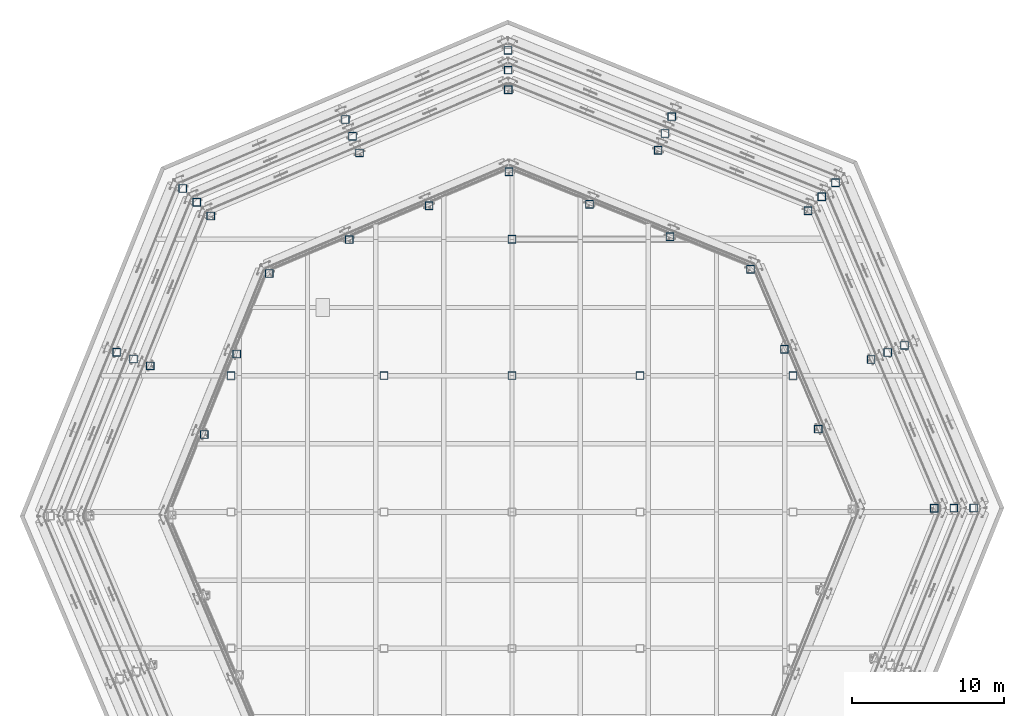
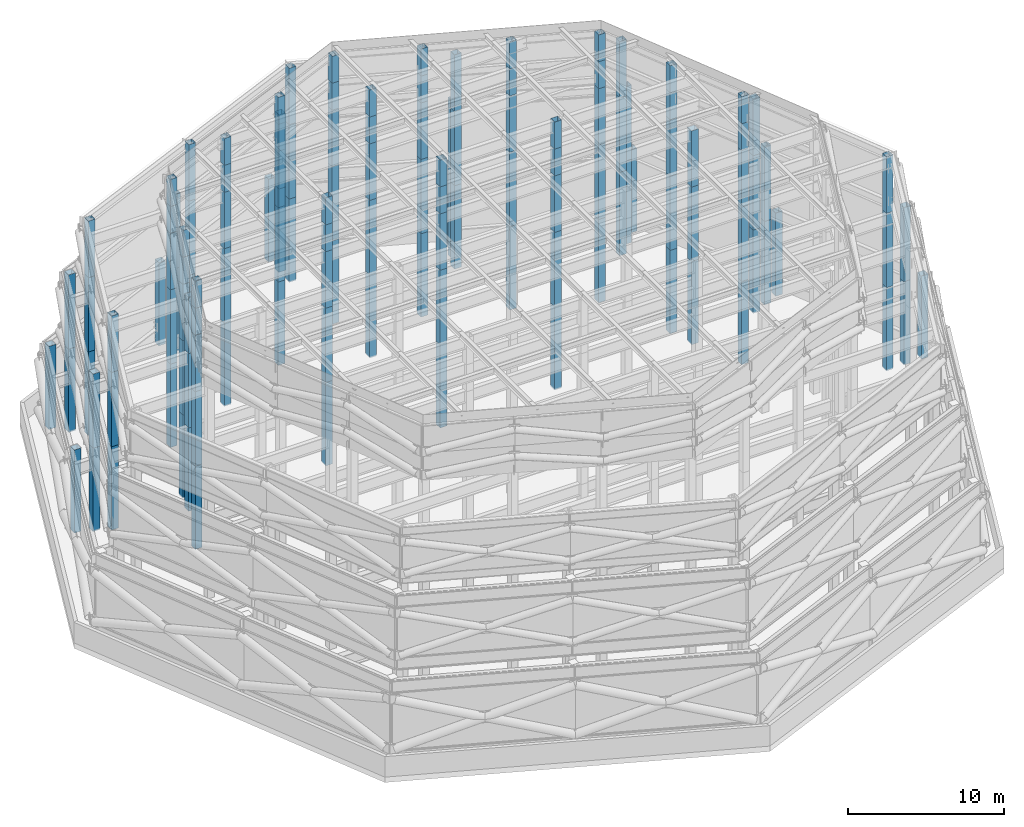
# One storey, part 2 of 19: 129 columns.
"""IFC4 building model written with IfcOpenShell, lengths in metres."""

from ifc_helpers import new_model, si_unit, direction, frame, origin, origin_2d, place, context, subcontext, project, spatial, hollow_rectangle, extrude, material, material_profile, profile_set, type_object, element, save


model = new_model("IFC4")

# Units and contexts
model_context = context("Model", 3, precision=1e-05, world=origin(), true_north=direction((0.0, 1.0)))
body_context = subcontext(model_context, "Body", "Model", "MODEL_VIEW")
ifc_project = project(units=[si_unit("LENGTHUNIT", "METRE"), si_unit("AREAUNIT", "SQUARE_METRE"), si_unit("VOLUMEUNIT", "CUBIC_METRE"), si_unit("PLANEANGLEUNIT", "RADIAN"), si_unit("MASSUNIT", "GRAM", prefix="KILO")], contexts=[model_context])

# Site, building, storey
site_placement = place(None, origin())
site = spatial("IfcSite", under=ifc_project, at=site_placement, CompositionType="ELEMENT")
building_placement = place(site_placement, origin())
building = spatial("IfcBuilding", under=site, at=building_placement, Name="Orlundy Tower", CompositionType="ELEMENT")
storey_placement = place(building_placement, frame((0.0, 0.0, 304.300048828125)))
storey = spatial("IfcBuildingStorey", under=building, at=storey_placement, Name="Roof", CompositionType="ELEMENT", Elevation=304.300048828125)

# Columns
ifc_material = material(Name="Steel ASTM A500 Gr C", Category="steel")
ifc_material_profile = material_profile(ifc_material, hollow_rectangle(XDim=0.508056640625, YDim=0.508056640625, WallThickness=0.017578125, at=origin_2d()), Name="HSS20X20X3/4")
ifc_profile_set = profile_set([ifc_material_profile], Name="Steel ASTM A500 Gr C")
column_type = type_object("IfcColumnType", Name="CROWN FRAME column HSS20X20X3/4", PredefinedType="COLUMN", material=ifc_profile_set)
for number, where, z_axis, x_axis, name in (
    (1, (21.35302734375, 21.729248046875, 0.0), (0.0, 0.0, 1.0), (1.0, 0.0, 0.0), "CROWN FRAME post 1-01"),
    (2, (10.54345703125, 26.0966796875, 0.0), (0.0, 0.0, 1.0), (1.0, 0.0, 0.0), "CROWN FRAME post 1-02"),
    (3, (-0.26611328125, 30.4638671875, 0.0), (0.0, 0.0, 1.0), (1.0, 0.0, 0.0), "CROWN FRAME post 1-03"),
    (4, (-10.997802734375, 25.908447265625, 0.0), (0.0, 0.0, 1.0), (1.0, 0.0, 0.0), "CROWN FRAME post 1-04"),
    (5, (-21.729248046875, 21.35302734375, 0.0), (0.0, 0.0, 1.0), (1.0, 0.0, 0.0), "CROWN FRAME post 1-05"),
    (6, (-26.0966796875, 10.54345703125, 0.0), (0.0, 0.0, 1.0), (1.0, 0.0, 0.0), "CROWN FRAME post 1-06"),
    (7, (30.4638671875, 0.26611328125, 0.0), (0.0, 0.0, 1.0), (1.0, 0.0, 0.0), "CROWN FRAME post 1-15"),
    (8, (25.908447265625, 10.997802734375, 0.0), (0.0, 0.0, 1.0), (1.0, 0.0, 0.0), "CROWN FRAME post 1-16"),
):
    element("IfcColumn", number, at=place(storey_placement, frame(where, z_axis=z_axis, x_axis=x_axis)), inside=storey, type_object=column_type, Name=name, PredefinedType="COLUMN", context=body_context, shape_type="SweptSolid", body=[
        extrude(hollow_rectangle(XDim=0.508056640625, YDim=0.508056640625, WallThickness=0.017578125, at=origin_2d()), origin(), (0.0, 0.0, 1.0), 6.47998046875),
    ])
for number, where, z_axis, x_axis, name in (
    (9, (20.442626953125, 20.802978515625, 6.5), (0.0, 0.0, 1.0), (1.0, 0.0, 0.0), "CROWN FRAME post 2-01"),
    (10, (10.093994140625, 24.98388671875, 6.5), (0.0, 0.0, 1.0), (1.0, 0.0, 0.0), "CROWN FRAME post 2-02"),
    (11, (-0.254638671875, 29.1650390625, 6.5), (0.0, 0.0, 1.0), (1.0, 0.0, 0.0), "CROWN FRAME post 2-03"),
    (12, (-10.52880859375, 24.803955078125, 6.5), (0.0, 0.0, 1.0), (1.0, 0.0, 0.0), "CROWN FRAME post 2-04"),
    (13, (-20.802978515625, 20.442626953125, 6.5), (0.0, 0.0, 1.0), (1.0, 0.0, 0.0), "CROWN FRAME post 2-05"),
    (14, (-24.98388671875, 10.093994140625, 6.5), (0.0, 0.0, 1.0), (1.0, 0.0, 0.0), "CROWN FRAME post 2-06"),
    (15, (29.1650390625, 0.254638671875, 6.5), (0.0, 0.0, 1.0), (1.0, 0.0, 0.0), "CROWN FRAME post 2-15"),
    (16, (24.803955078125, 10.52880859375, 6.5), (0.0, 0.0, 1.0), (1.0, 0.0, 0.0), "CROWN FRAME post 2-16"),
):
    element("IfcColumn", number, at=place(storey_placement, frame(where, z_axis=z_axis, x_axis=x_axis)), inside=storey, type_object=column_type, Name=name, PredefinedType="COLUMN", context=body_context, shape_type="SweptSolid", body=[
        extrude(hollow_rectangle(XDim=0.508056640625, YDim=0.508056640625, WallThickness=0.017578125, at=origin_2d()), origin(), (0.0, 0.0, 1.0), 5.780029296875),
    ])
for number, where, z_axis, x_axis, name in (
    (17, (19.5322265625, 19.87646484375, 12.300048828125), (0.0, 0.0, 1.0), (1.0, 0.0, 0.0), "CROWN FRAME post 3-01"),
    (18, (9.64453125, 23.871337890625, 12.300048828125), (0.0, 0.0, 1.0), (1.0, 0.0, 0.0), "CROWN FRAME post 3-02"),
    (19, (-0.243408203125, 27.8662109375, 12.300048828125), (0.0, 0.0, 1.0), (1.0, 0.0, 0.0), "CROWN FRAME post 3-03"),
    (20, (-10.059814453125, 23.69921875, 12.300048828125), (0.0, 0.0, 1.0), (1.0, 0.0, 0.0), "CROWN FRAME post 3-04"),
    (21, (-19.87646484375, 19.5322265625, 12.300048828125), (0.0, 0.0, 1.0), (1.0, 0.0, 0.0), "CROWN FRAME post 3-05"),
    (22, (-23.871337890625, 9.64453125, 12.300048828125), (0.0, 0.0, 1.0), (1.0, 0.0, 0.0), "CROWN FRAME post 3-06"),
    (23, (27.8662109375, 0.243408203125, 12.300048828125), (0.0, 0.0, 1.0), (1.0, 0.0, 0.0), "CROWN FRAME post 3-15"),
    (24, (23.69921875, 10.059814453125, 12.300048828125), (0.0, 0.0, 1.0), (1.0, 0.0, 0.0), "CROWN FRAME post 3-16"),
):
    element("IfcColumn", number, at=place(storey_placement, frame(where, z_axis=z_axis, x_axis=x_axis)), inside=storey, type_object=column_type, Name=name, PredefinedType="COLUMN", context=body_context, shape_type="SweptSolid", body=[
        extrude(hollow_rectangle(XDim=0.508056640625, YDim=0.508056640625, WallThickness=0.017578125, at=origin_2d()), origin(), (0.0, 0.0, 1.0), 4.39990234375),
    ])
for number, where, z_axis, x_axis, name in (
    (25, (15.739013671875, 16.016357421875, 16.699951171875), (0.0, 0.0, 1.0), (1.0, 0.0, 0.0), "CROWN FRAME post 4-01"),
    (26, (10.42724609375, 18.162353515625, 16.699951171875), (0.0, 0.0, 1.0), (1.0, 0.0, 0.0), "CROWN FRAME post 4-02"),
    (27, (5.115478515625, 20.308349609375, 16.699951171875), (0.0, 0.0, 1.0), (1.0, 0.0, 0.0), "CROWN FRAME post 4-03"),
    (28, (-0.196044921875, 22.45458984375, 16.699951171875), (0.0, 0.0, 1.0), (1.0, 0.0, 0.0), "CROWN FRAME post 4-04"),
    (29, (-5.469482421875, 20.216064453125, 16.699951171875), (0.0, 0.0, 1.0), (1.0, 0.0, 0.0), "CROWN FRAME post 4-05"),
    (30, (-10.742919921875, 17.9775390625, 16.699951171875), (0.0, 0.0, 1.0), (1.0, 0.0, 0.0), "CROWN FRAME post 4-06"),
    (31, (-16.016357421875, 15.739013671875, 16.699951171875), (0.0, 0.0, 1.0), (1.0, 0.0, 0.0), "CROWN FRAME post 4-07"),
    (32, (-18.162353515625, 10.42724609375, 16.699951171875), (0.0, 0.0, 1.0), (1.0, 0.0, 0.0), "CROWN FRAME post 4-08"),
    (33, (-20.308349609375, 5.115478515625, 16.699951171875), (0.0, 0.0, 1.0), (1.0, 0.0, 0.0), "CROWN FRAME post 4-09"),
    (34, (20.216064453125, 5.469482421875, 16.699951171875), (0.0, 0.0, 1.0), (1.0, 0.0, 0.0), "CROWN FRAME post 4-23"),
    (35, (17.9775390625, 10.742919921875, 16.699951171875), (0.0, 0.0, 1.0), (1.0, 0.0, 0.0), "CROWN FRAME post 4-24"),
):
    element("IfcColumn", number, at=place(storey_placement, frame(where, z_axis=z_axis, x_axis=x_axis)), inside=storey, type_object=column_type, Name=name, PredefinedType="COLUMN", context=body_context, shape_type="SweptSolid", body=[
        extrude(hollow_rectangle(XDim=0.508056640625, YDim=0.508056640625, WallThickness=0.017578125, at=origin_2d()), origin(), (0.0, 0.0, 1.0), 2.10009765625),
    ])
for number, where, z_axis, x_axis, name in (
    (36, (15.739013671875, 16.016357421875, 18.800048828125), (0.0, 0.0, 1.0), (1.0, 0.0, 0.0), "CROWN FRAME post 5-01"),
    (37, (10.42724609375, 18.162353515625, 18.800048828125), (0.0, 0.0, 1.0), (1.0, 0.0, 0.0), "CROWN FRAME post 5-02"),
    (38, (5.115478515625, 20.308349609375, 18.800048828125), (0.0, 0.0, 1.0), (1.0, 0.0, 0.0), "CROWN FRAME post 5-03"),
    (39, (-0.196044921875, 22.45458984375, 18.800048828125), (0.0, 0.0, 1.0), (1.0, 0.0, 0.0), "CROWN FRAME post 5-04"),
    (40, (-5.469482421875, 20.216064453125, 18.800048828125), (0.0, 0.0, 1.0), (1.0, 0.0, 0.0), "CROWN FRAME post 5-05"),
    (41, (-10.742919921875, 17.9775390625, 18.800048828125), (0.0, 0.0, 1.0), (1.0, 0.0, 0.0), "CROWN FRAME post 5-06"),
    (42, (-16.016357421875, 15.739013671875, 18.800048828125), (0.0, 0.0, 1.0), (1.0, 0.0, 0.0), "CROWN FRAME post 5-07"),
    (43, (-18.162353515625, 10.42724609375, 18.800048828125), (0.0, 0.0, 1.0), (1.0, 0.0, 0.0), "CROWN FRAME post 5-08"),
    (44, (-20.308349609375, 5.115478515625, 18.800048828125), (0.0, 0.0, 1.0), (1.0, 0.0, 0.0), "CROWN FRAME post 5-09"),
    (45, (20.216064453125, 5.469482421875, 18.800048828125), (0.0, 0.0, 1.0), (1.0, 0.0, 0.0), "CROWN FRAME post 5-23"),
    (46, (17.9775390625, 10.742919921875, 18.800048828125), (0.0, 0.0, 1.0), (1.0, 0.0, 0.0), "CROWN FRAME post 5-24"),
):
    element("IfcColumn", number, at=place(storey_placement, frame(where, z_axis=z_axis, x_axis=x_axis)), inside=storey, type_object=column_type, Name=name, PredefinedType="COLUMN", context=body_context, shape_type="SweptSolid", body=[
        extrude(hollow_rectangle(XDim=0.508056640625, YDim=0.508056640625, WallThickness=0.017578125, at=origin_2d()), origin(), (0.0, 0.0, 1.0), 2.099853515625),
    ])
for number, where, z_axis, x_axis, name in (
    (47, (-18.550048828125, 9.0, 0.0), (0.0, 0.0, 1.0), (1.0, 0.0, 0.0), "CROWN FRAME interior post 03 frame 1"),
    (48, (-8.449951171875, 9.0, 0.0), (0.0, 0.0, 1.0), (1.0, 0.0, 0.0), "CROWN FRAME interior post 06 frame 1"),
    (49, (0.0, 9.0, 0.0), (0.0, 0.0, 1.0), (1.0, 0.0, 0.0), "CROWN FRAME interior post 10 frame 1"),
    (50, (0.0, 18.0, 0.0), (0.0, 0.0, 1.0), (1.0, 0.0, 0.0), "CROWN FRAME interior post 11 frame 1"),
    (51, (8.449951171875, 9.0, 0.0), (0.0, 0.0, 1.0), (1.0, 0.0, 0.0), "CROWN FRAME interior post 14 frame 1"),
    (52, (18.550048828125, 9.0, 0.0), (0.0, 0.0, 1.0), (1.0, 0.0, 0.0), "CROWN FRAME interior post 17 frame 1"),
    (53, (20.442626953125, 20.802978515625, 0.0), (0.0, 0.0, 1.0), (1.0, 0.0, 0.0), "CROWN FRAME interior post 18 frame 1"),
    (54, (10.093994140625, 24.98388671875, 0.0), (0.0, 0.0, 1.0), (1.0, 0.0, 0.0), "CROWN FRAME interior post 19 frame 1"),
    (55, (-0.254638671875, 29.1650390625, 0.0), (0.0, 0.0, 1.0), (1.0, 0.0, 0.0), "CROWN FRAME interior post 20 frame 1"),
    (56, (-10.52880859375, 24.803955078125, 0.0), (0.0, 0.0, 1.0), (1.0, 0.0, 0.0), "CROWN FRAME interior post 21 frame 1"),
    (57, (-20.802978515625, 20.442626953125, 0.0), (0.0, 0.0, 1.0), (1.0, 0.0, 0.0), "CROWN FRAME interior post 22 frame 1"),
    (58, (-24.98388671875, 10.093994140625, 0.0), (0.0, 0.0, 1.0), (1.0, 0.0, 0.0), "CROWN FRAME interior post 23 frame 1"),
    (59, (29.1650390625, 0.254638671875, 0.0), (0.0, 0.0, 1.0), (1.0, 0.0, 0.0), "CROWN FRAME interior post 32 frame 1"),
    (60, (24.803955078125, 10.52880859375, 0.0), (0.0, 0.0, 1.0), (1.0, 0.0, 0.0), "CROWN FRAME interior post 33 frame 1"),
    (61, (19.5322265625, 19.87646484375, 0.0), (0.0, 0.0, 1.0), (1.0, 0.0, 0.0), "CROWN FRAME interior post 34 frame 1"),
    (62, (9.64453125, 23.871337890625, 0.0), (0.0, 0.0, 1.0), (1.0, 0.0, 0.0), "CROWN FRAME interior post 35 frame 1"),
    (63, (-0.243408203125, 27.8662109375, 0.0), (0.0, 0.0, 1.0), (1.0, 0.0, 0.0), "CROWN FRAME interior post 36 frame 1"),
    (64, (-10.059814453125, 23.69921875, 0.0), (0.0, 0.0, 1.0), (1.0, 0.0, 0.0), "CROWN FRAME interior post 37 frame 1"),
    (65, (-19.87646484375, 19.5322265625, 0.0), (0.0, 0.0, 1.0), (1.0, 0.0, 0.0), "CROWN FRAME interior post 38 frame 1"),
    (66, (-23.871337890625, 9.64453125, 0.0), (0.0, 0.0, 1.0), (1.0, 0.0, 0.0), "CROWN FRAME interior post 39 frame 1"),
    (67, (27.8662109375, 0.243408203125, 0.0), (0.0, 0.0, 1.0), (1.0, 0.0, 0.0), "CROWN FRAME interior post 48 frame 1"),
    (68, (23.69921875, 10.059814453125, 0.0), (0.0, 0.0, 1.0), (1.0, 0.0, 0.0), "CROWN FRAME interior post 49 frame 1"),
    (69, (15.739013671875, 16.016357421875, 0.0), (0.0, 0.0, 1.0), (1.0, 0.0, 0.0), "CROWN FRAME interior post 50 frame 1"),
    (70, (10.42724609375, 18.162353515625, 0.0), (0.0, 0.0, 1.0), (1.0, 0.0, 0.0), "CROWN FRAME interior post 51 frame 1"),
    (71, (5.115478515625, 20.308349609375, 0.0), (0.0, 0.0, 1.0), (1.0, 0.0, 0.0), "CROWN FRAME interior post 52 frame 1"),
    (72, (-0.196044921875, 22.45458984375, 0.0), (0.0, 0.0, 1.0), (1.0, 0.0, 0.0), "CROWN FRAME interior post 53 frame 1"),
    (73, (-5.469482421875, 20.216064453125, 0.0), (0.0, 0.0, 1.0), (1.0, 0.0, 0.0), "CROWN FRAME interior post 54 frame 1"),
    (74, (-10.742919921875, 17.9775390625, 0.0), (0.0, 0.0, 1.0), (1.0, 0.0, 0.0), "CROWN FRAME interior post 55 frame 1"),
    (75, (-16.016357421875, 15.739013671875, 0.0), (0.0, 0.0, 1.0), (1.0, 0.0, 0.0), "CROWN FRAME interior post 56 frame 1"),
    (76, (-18.162353515625, 10.42724609375, 0.0), (0.0, 0.0, 1.0), (1.0, 0.0, 0.0), "CROWN FRAME interior post 57 frame 1"),
    (77, (-20.308349609375, 5.115478515625, 0.0), (0.0, 0.0, 1.0), (1.0, 0.0, 0.0), "CROWN FRAME interior post 58 frame 1"),
    (78, (20.216064453125, 5.469482421875, 0.0), (0.0, 0.0, 1.0), (1.0, 0.0, 0.0), "CROWN FRAME interior post 72 frame 1"),
    (79, (17.9775390625, 10.742919921875, 0.0), (0.0, 0.0, 1.0), (1.0, 0.0, 0.0), "CROWN FRAME interior post 73 frame 1"),
):
    element("IfcColumn", number, at=place(storey_placement, frame(where, z_axis=z_axis, x_axis=x_axis)), inside=storey, type_object=column_type, Name=name, PredefinedType="COLUMN", context=body_context, shape_type="SweptSolid", body=[
        extrude(hollow_rectangle(XDim=0.508056640625, YDim=0.508056640625, WallThickness=0.017578125, at=origin_2d()), origin(), (0.0, 0.0, 1.0), 6.5),
    ])
for number, where, z_axis, x_axis, name in (
    (80, (-18.550048828125, 9.0, 6.5), (0.0, 0.0, 1.0), (1.0, 0.0, 0.0), "CROWN FRAME interior post 03 frame 2"),
    (81, (-8.449951171875, 9.0, 6.5), (0.0, 0.0, 1.0), (1.0, 0.0, 0.0), "CROWN FRAME interior post 06 frame 2"),
    (82, (0.0, 9.0, 6.5), (0.0, 0.0, 1.0), (1.0, 0.0, 0.0), "CROWN FRAME interior post 10 frame 2"),
    (83, (0.0, 18.0, 6.5), (0.0, 0.0, 1.0), (1.0, 0.0, 0.0), "CROWN FRAME interior post 11 frame 2"),
    (84, (8.449951171875, 9.0, 6.5), (0.0, 0.0, 1.0), (1.0, 0.0, 0.0), "CROWN FRAME interior post 14 frame 2"),
    (85, (18.550048828125, 9.0, 6.5), (0.0, 0.0, 1.0), (1.0, 0.0, 0.0), "CROWN FRAME interior post 17 frame 2"),
    (86, (19.5322265625, 19.87646484375, 6.5), (0.0, 0.0, 1.0), (1.0, 0.0, 0.0), "CROWN FRAME interior post 18 frame 2"),
    (87, (9.64453125, 23.871337890625, 6.5), (0.0, 0.0, 1.0), (1.0, 0.0, 0.0), "CROWN FRAME interior post 19 frame 2"),
    (88, (-0.243408203125, 27.8662109375, 6.5), (0.0, 0.0, 1.0), (1.0, 0.0, 0.0), "CROWN FRAME interior post 20 frame 2"),
    (89, (-10.059814453125, 23.69921875, 6.5), (0.0, 0.0, 1.0), (1.0, 0.0, 0.0), "CROWN FRAME interior post 21 frame 2"),
    (90, (-19.87646484375, 19.5322265625, 6.5), (0.0, 0.0, 1.0), (1.0, 0.0, 0.0), "CROWN FRAME interior post 22 frame 2"),
    (91, (-23.871337890625, 9.64453125, 6.5), (0.0, 0.0, 1.0), (1.0, 0.0, 0.0), "CROWN FRAME interior post 23 frame 2"),
    (92, (27.8662109375, 0.243408203125, 6.5), (0.0, 0.0, 1.0), (1.0, 0.0, 0.0), "CROWN FRAME interior post 32 frame 2"),
    (93, (23.69921875, 10.059814453125, 6.5), (0.0, 0.0, 1.0), (1.0, 0.0, 0.0), "CROWN FRAME interior post 33 frame 2"),
    (94, (15.739013671875, 16.016357421875, 6.5), (0.0, 0.0, 1.0), (1.0, 0.0, 0.0), "CROWN FRAME interior post 34 frame 2"),
    (95, (10.42724609375, 18.162353515625, 6.5), (0.0, 0.0, 1.0), (1.0, 0.0, 0.0), "CROWN FRAME interior post 35 frame 2"),
    (96, (5.115478515625, 20.308349609375, 6.5), (0.0, 0.0, 1.0), (1.0, 0.0, 0.0), "CROWN FRAME interior post 36 frame 2"),
    (97, (-0.196044921875, 22.45458984375, 6.5), (0.0, 0.0, 1.0), (1.0, 0.0, 0.0), "CROWN FRAME interior post 37 frame 2"),
    (98, (-5.469482421875, 20.216064453125, 6.5), (0.0, 0.0, 1.0), (1.0, 0.0, 0.0), "CROWN FRAME interior post 38 frame 2"),
    (99, (-10.742919921875, 17.9775390625, 6.5), (0.0, 0.0, 1.0), (1.0, 0.0, 0.0), "CROWN FRAME interior post 39 frame 2"),
    (100, (-16.016357421875, 15.739013671875, 6.5), (0.0, 0.0, 1.0), (1.0, 0.0, 0.0), "CROWN FRAME interior post 40 frame 2"),
    (101, (-18.162353515625, 10.42724609375, 6.5), (0.0, 0.0, 1.0), (1.0, 0.0, 0.0), "CROWN FRAME interior post 41 frame 2"),
    (102, (-20.308349609375, 5.115478515625, 6.5), (0.0, 0.0, 1.0), (1.0, 0.0, 0.0), "CROWN FRAME interior post 42 frame 2"),
    (103, (20.216064453125, 5.469482421875, 6.5), (0.0, 0.0, 1.0), (1.0, 0.0, 0.0), "CROWN FRAME interior post 56 frame 2"),
    (104, (17.9775390625, 10.742919921875, 6.5), (0.0, 0.0, 1.0), (1.0, 0.0, 0.0), "CROWN FRAME interior post 57 frame 2"),
):
    element("IfcColumn", number, at=place(storey_placement, frame(where, z_axis=z_axis, x_axis=x_axis)), inside=storey, type_object=column_type, Name=name, PredefinedType="COLUMN", context=body_context, shape_type="SweptSolid", body=[
        extrude(hollow_rectangle(XDim=0.508056640625, YDim=0.508056640625, WallThickness=0.017578125, at=origin_2d()), origin(), (0.0, 0.0, 1.0), 5.800048828125),
    ])
column_1_placement = place(storey_placement, frame((-18.550048828125, 9.0, 12.300048828125), z_axis=(0.0, 0.0, 1.0), x_axis=(1.0, 0.0, 0.0)))
element("IfcColumn", 105, at=column_1_placement, inside=storey, type_object=column_type, Name="CROWN FRAME interior post 03 frame 3", PredefinedType="COLUMN", context=body_context, shape_type="SweptSolid", body=[
    extrude(hollow_rectangle(XDim=0.508056640625, YDim=0.508056640625, WallThickness=0.017578125, at=origin_2d()), origin(), (0.0, 0.0, 1.0), 4.3798828125),
])
for number, where, z_axis, x_axis, name in (
    (106, (-8.449951171875, 9.0, 12.300048828125), (0.0, 0.0, 1.0), (1.0, 0.0, 0.0), "CROWN FRAME interior post 06 frame 3"),
    (107, (0.0, 9.0, 12.300048828125), (0.0, 0.0, 1.0), (1.0, 0.0, 0.0), "CROWN FRAME interior post 10 frame 3"),
    (108, (0.0, 18.0, 12.300048828125), (0.0, 0.0, 1.0), (1.0, 0.0, 0.0), "CROWN FRAME interior post 11 frame 3"),
    (109, (8.449951171875, 9.0, 12.300048828125), (0.0, 0.0, 1.0), (1.0, 0.0, 0.0), "CROWN FRAME interior post 14 frame 3"),
):
    element("IfcColumn", number, at=place(storey_placement, frame(where, z_axis=z_axis, x_axis=x_axis)), inside=storey, type_object=column_type, Name=name, PredefinedType="COLUMN", context=body_context, shape_type="SweptSolid", body=[
        extrude(hollow_rectangle(XDim=0.508056640625, YDim=0.508056640625, WallThickness=0.017578125, at=origin_2d()), origin(), (0.0, 0.0, 1.0), 4.39990234375),
    ])
column_2_placement = place(storey_placement, frame((18.550048828125, 9.0, 12.300048828125), z_axis=(0.0, 0.0, 1.0), x_axis=(1.0, 0.0, 0.0)))
element("IfcColumn", 110, at=column_2_placement, inside=storey, type_object=column_type, Name="CROWN FRAME interior post 17 frame 3", PredefinedType="COLUMN", context=body_context, shape_type="SweptSolid", body=[
    extrude(hollow_rectangle(XDim=0.508056640625, YDim=0.508056640625, WallThickness=0.017578125, at=origin_2d()), origin(), (0.0, 0.0, 1.0), 4.3798828125),
])
for number, where, z_axis, x_axis, name in (
    (111, (15.739013671875, 16.016357421875, 12.300048828125), (0.0, 0.0, 1.0), (1.0, 0.0, 0.0), "CROWN FRAME interior post 18 frame 3"),
    (112, (10.42724609375, 18.162353515625, 12.300048828125), (0.0, 0.0, 1.0), (1.0, 0.0, 0.0), "CROWN FRAME interior post 19 frame 3"),
    (113, (5.115478515625, 20.308349609375, 12.300048828125), (0.0, 0.0, 1.0), (1.0, 0.0, 0.0), "CROWN FRAME interior post 20 frame 3"),
    (114, (-0.196044921875, 22.45458984375, 12.300048828125), (0.0, 0.0, 1.0), (1.0, 0.0, 0.0), "CROWN FRAME interior post 21 frame 3"),
    (115, (-5.469482421875, 20.216064453125, 12.300048828125), (0.0, 0.0, 1.0), (1.0, 0.0, 0.0), "CROWN FRAME interior post 22 frame 3"),
    (116, (-10.742919921875, 17.9775390625, 12.300048828125), (0.0, 0.0, 1.0), (1.0, 0.0, 0.0), "CROWN FRAME interior post 23 frame 3"),
    (117, (-16.016357421875, 15.739013671875, 12.300048828125), (0.0, 0.0, 1.0), (1.0, 0.0, 0.0), "CROWN FRAME interior post 24 frame 3"),
    (118, (-18.162353515625, 10.42724609375, 12.300048828125), (0.0, 0.0, 1.0), (1.0, 0.0, 0.0), "CROWN FRAME interior post 25 frame 3"),
    (119, (-20.308349609375, 5.115478515625, 12.300048828125), (0.0, 0.0, 1.0), (1.0, 0.0, 0.0), "CROWN FRAME interior post 26 frame 3"),
    (120, (20.216064453125, 5.469482421875, 12.300048828125), (0.0, 0.0, 1.0), (1.0, 0.0, 0.0), "CROWN FRAME interior post 40 frame 3"),
    (121, (17.9775390625, 10.742919921875, 12.300048828125), (0.0, 0.0, 1.0), (1.0, 0.0, 0.0), "CROWN FRAME interior post 41 frame 3"),
):
    element("IfcColumn", number, at=place(storey_placement, frame(where, z_axis=z_axis, x_axis=x_axis)), inside=storey, type_object=column_type, Name=name, PredefinedType="COLUMN", context=body_context, shape_type="SweptSolid", body=[
        extrude(hollow_rectangle(XDim=0.508056640625, YDim=0.508056640625, WallThickness=0.017578125, at=origin_2d()), origin(), (0.0, 0.0, 1.0), 4.39990234375),
    ])
for number, where, z_axis, x_axis, name in (
    (122, (-8.449951171875, 9.0, 16.699951171875), (0.0, 0.0, 1.0), (1.0, 0.0, 0.0), "CROWN FRAME interior post 04 frame 4"),
    (123, (0.0, 9.0, 16.699951171875), (0.0, 0.0, 1.0), (1.0, 0.0, 0.0), "CROWN FRAME interior post 08 frame 4"),
    (124, (0.0, 18.0, 16.699951171875), (0.0, 0.0, 1.0), (1.0, 0.0, 0.0), "CROWN FRAME interior post 09 frame 4"),
    (125, (8.449951171875, 9.0, 16.699951171875), (0.0, 0.0, 1.0), (1.0, 0.0, 0.0), "CROWN FRAME interior post 12 frame 4"),
):
    element("IfcColumn", number, at=place(storey_placement, frame(where, z_axis=z_axis, x_axis=x_axis)), inside=storey, type_object=column_type, Name=name, PredefinedType="COLUMN", context=body_context, shape_type="SweptSolid", body=[
        extrude(hollow_rectangle(XDim=0.508056640625, YDim=0.508056640625, WallThickness=0.017578125, at=origin_2d()), origin(), (0.0, 0.0, 1.0), 2.10009765625),
    ])
for number, where, z_axis, x_axis, name in (
    (126, (-8.449951171875, 9.0, 18.800048828125), (0.0, 0.0, 1.0), (1.0, 0.0, 0.0), "CROWN FRAME interior post 04 frame 5"),
    (127, (0.0, 9.0, 18.800048828125), (0.0, 0.0, 1.0), (1.0, 0.0, 0.0), "CROWN FRAME interior post 08 frame 5"),
    (128, (0.0, 18.0, 18.800048828125), (0.0, 0.0, 1.0), (1.0, 0.0, 0.0), "CROWN FRAME interior post 09 frame 5"),
    (129, (8.449951171875, 9.0, 18.800048828125), (0.0, 0.0, 1.0), (1.0, 0.0, 0.0), "CROWN FRAME interior post 12 frame 5"),
):
    element("IfcColumn", number, at=place(storey_placement, frame(where, z_axis=z_axis, x_axis=x_axis)), inside=storey, type_object=column_type, Name=name, PredefinedType="COLUMN", context=body_context, shape_type="SweptSolid", body=[
        extrude(hollow_rectangle(XDim=0.508056640625, YDim=0.508056640625, WallThickness=0.017578125, at=origin_2d()), origin(), (0.0, 0.0, 1.0), 2.099853515625),
    ])

save(model, "model.ifc")
